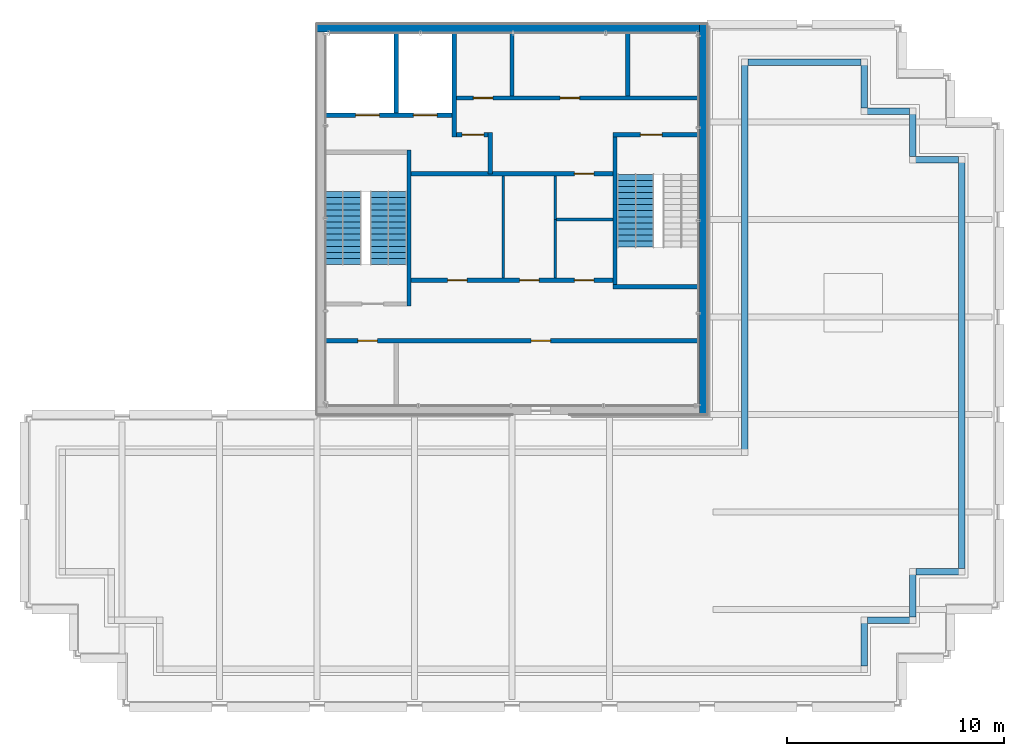
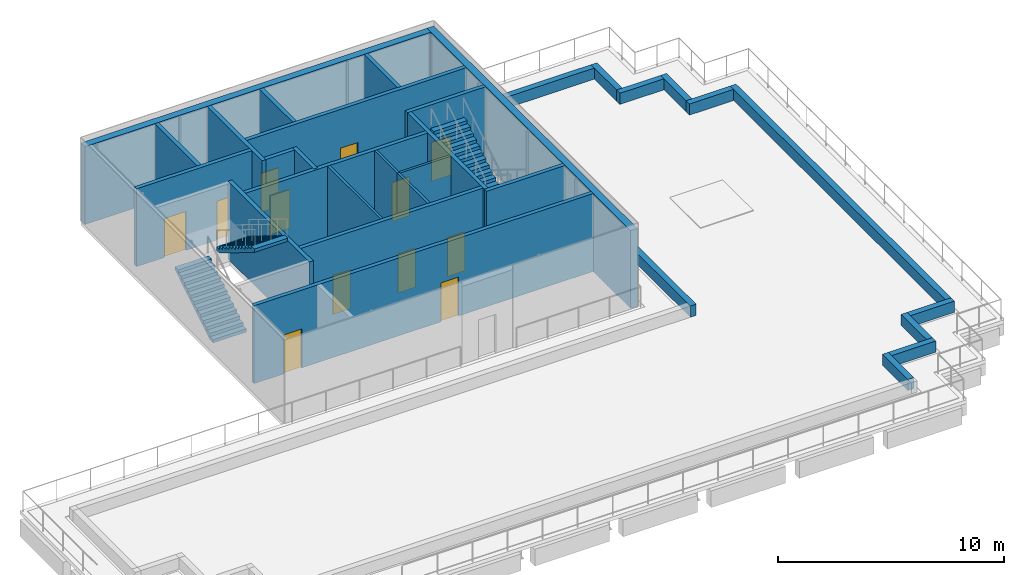
# One storey, part 9 of 11: 32 walls, 12 doors, 3 stair flights, 12 openings, 2 elements without a shape of their own.
"""IFC4 building model written with IfcOpenShell, lengths in metres."""

from ifc_helpers import new_model, si_unit, direction, frame, frame_2d, origin, place, context, subcontext, project, spatial, polyline, rectangle, outline, extrude, material, layer, layer_set, type_object, element, fill, aggregate, save


model = new_model("IFC4")

# Units and contexts
model_context = context("Model", 3, precision=1e-05, world=origin(), true_north=direction((0.0, 1.0)))
body_context = subcontext(model_context, "Body", "Model", "MODEL_VIEW")
ifc_project = project(units=[si_unit("LENGTHUNIT", "METRE"), si_unit("AREAUNIT", "SQUARE_METRE"), si_unit("VOLUMEUNIT", "CUBIC_METRE"), si_unit("PLANEANGLEUNIT", "RADIAN"), si_unit("MASSUNIT", "GRAM", prefix="KILO")], contexts=[model_context])

# Site, building, storey
site_placement = place(None, origin())
site = spatial("IfcSite", under=ifc_project, at=site_placement, CompositionType="ELEMENT")
building_placement = place(site_placement, origin())
building = spatial("IfcBuilding", under=site, at=building_placement, Name="Altepetl Exchange Towers", CompositionType="ELEMENT")
storey_placement = place(building_placement, frame((0.0, 0.0, 274.60009765625)))
storey = spatial("IfcBuildingStorey", under=building, at=storey_placement, Name="L69 Crown plant", CompositionType="ELEMENT", Elevation=274.60009765625)

# Walls
ifc_material_1 = material(Name="Concrete C70/85", Category="concrete")
ifc_layer_1 = layer(ifc_material_1, 0.35009765625)
ifc_layer_set_1 = layer_set([ifc_layer_1], Name="Concrete C70/85")
wall_type_1 = type_object("IfcWallType", Name="Core wall 350 reinforced concrete external", PredefinedType="SHEAR", material=ifc_layer_set_1)
wall_1_placement = place(storey_placement, frame((58.324951171875, 40.5, 0.0), z_axis=(0.0, 0.0, 1.0), x_axis=(0.0, 1.0, 0.0)))
element("IfcWall", 1, at=wall_1_placement, inside=storey, type_object=wall_type_1, Name="wall:A:L69:K-coreE", PredefinedType="SHEAR", context=body_context, shape_type="SweptSolid", body=[
    extrude(rectangle(XDim=18.0, YDim=0.35009765625, at=frame_2d((9.0, 0.0))), origin(), (0.0, 0.0, 1.0), 4.199951171875),
])
wall_2_placement = place(storey_placement, frame((40.5, 58.324951171875, 0.0)))
element("IfcWall", 2, at=wall_2_placement, inside=storey, type_object=wall_type_1, Name="wall:A:L69:K-coreN", PredefinedType="SHEAR", context=body_context, shape_type="SweptSolid", body=[
    extrude(rectangle(XDim=17.64990234375, YDim=0.35009765625, at=frame_2d((8.824951171875, 0.0))), origin(), (0.0, 0.0, 1.0), 4.199951171875),
])
ifc_material_2 = material(Name="Concrete blockwork", Category="masonry")
ifc_layer_2 = layer(ifc_material_2, 0.199951171875)
ifc_layer_set_2 = layer_set([ifc_layer_2], Name="Concrete blockwork")
wall_type_2 = type_object("IfcWallType", Name="Lobby wall 200 blockwork", PredefinedType="PARTITIONING", material=ifc_layer_set_2)
wall_3_placement = place(storey_placement, frame((48.5, 51.60009765625, 0.0), z_axis=(0.0, 0.0, 1.0), x_axis=(0.0, 1.0, 0.0)))
element("IfcWall", 3, at=wall_3_placement, inside=storey, type_object=wall_type_2, Name="wall:A:L69:K-ffE", PredefinedType="PARTITIONING", context=body_context, shape_type="SweptSolid", body=[
    extrude(rectangle(XDim=1.89990234375, YDim=0.199951171875, at=frame_2d((0.949951171875, 0.0))), origin(), (0.0, 0.0, 1.0), 4.199951171875),
])

# Wall, opening, door
wall_4_placement = place(storey_placement, frame((46.933349609375, 53.39990234375, 0.0)))
wall_4 = element("IfcWall", 4, at=wall_4_placement, inside=storey, type_object=wall_type_2, Name="wall:A:L69:K-ffN", PredefinedType="PARTITIONING", context=body_context, shape_type="SweptSolid", body=[
    extrude(rectangle(XDim=1.466552734375, YDim=0.199951171875, at=frame_2d((0.7333984375, 0.0))), origin(), (0.0, 0.0, 1.0), 4.199951171875),
])
opening_1_placement = place(wall_4_placement, frame((0.2666015625, 0.0, 0.0)))
opening_1 = element("IfcOpeningElement", 5, at=opening_1_placement, cuts=wall_4, Name="Opening L69.A63", PredefinedType="OPENING", context=body_context, shape_type="SweptSolid", body=[
    extrude(rectangle(XDim=1.0, YDim=2.10009765625, at=frame_2d((0.5, 1.050048828125))), frame((0.0, 0.10986328125, 0.0), z_axis=(0.0, -1.0, 0.0), x_axis=(1.0, 0.0, 0.0)), (0.0, 0.0, 1.0), 0.219970703125),
])
ifc_material_3 = material(Name="Steel and timber fire door", Category="steel")
door_type_1 = type_object("IfcDoorType", Name="Fire door 1000 x 2100 stair and lobby", OperationType="SINGLE_SWING_LEFT", PredefinedType="DOOR", material=ifc_material_3)
door_1_placement = place(opening_1_placement, frame((1.0, 0.0, 0.0), x_axis=(-1.0, 0.0, 0.0)))
door_1 = element("IfcDoor", 6, at=door_1_placement, inside=storey, type_object=door_type_1, Name="door:A:L69:K-dffN", OperationType="SINGLE_SWING_RIGHT", OverallHeight=2.10009765625, OverallWidth=1.0, PredefinedType="DOOR", context=body_context, shape_type="SweptSolid", body=[
    extrude(rectangle(XDim=1.0, YDim=2.10009765625, at=frame_2d((0.5, 1.050048828125))), frame((0.0, 0.02490234375, 0.0), z_axis=(0.0, -1.0, 0.0), x_axis=(1.0, 0.0, 0.0)), (0.0, 0.0, 1.0), 0.050048828125),
])
fill(opening_1, door_1)

wall_5_placement = place(storey_placement, frame((44.85009765625, 51.60009765625, 0.0)))
wall_5 = element("IfcWall", 7, at=wall_5_placement, inside=storey, type_object=wall_type_2, Name="wall:A:L69:K-zoneN", PredefinedType="PARTITIONING", context=body_context, shape_type="SweptSolid", body=[
    extrude(rectangle(XDim=9.2998046875, YDim=0.199951171875, at=frame_2d((4.64990234375, 0.0))), origin(), (0.0, 0.0, 1.0), 4.199951171875),
])
opening_2_placement = place(wall_5_placement, frame((7.52490234375, 0.0, 0.0)))
opening_2 = element("IfcOpeningElement", 8, at=opening_2_placement, cuts=wall_5, Name="Opening L69.A70", PredefinedType="OPENING", context=body_context, shape_type="SweptSolid", body=[
    extrude(rectangle(XDim=0.89990234375, YDim=2.10009765625, at=frame_2d((0.449951171875, 1.050048828125))), frame((0.0, 0.10986328125, 0.0), z_axis=(0.0, -1.0, 0.0), x_axis=(1.0, 0.0, 0.0)), (0.0, 0.0, 1.0), 0.219970703125),
])
door_type_2 = type_object("IfcDoorType", Name="Fire door 900 x 2100 service room", OperationType="SINGLE_SWING_LEFT", PredefinedType="DOOR", material=ifc_material_3)
door_2_placement = place(opening_2_placement, frame((0.89990234375, 0.0, 0.0), x_axis=(-1.0, 0.0, 0.0)))
door_2 = element("IfcDoor", 9, at=door_2_placement, inside=storey, type_object=door_type_2, Name="door:A:L69:K-dz3", OperationType="SINGLE_SWING_LEFT", OverallHeight=2.10009765625, OverallWidth=0.89990234375, PredefinedType="DOOR", context=body_context, shape_type="SweptSolid", body=[
    extrude(rectangle(XDim=0.89990234375, YDim=2.10009765625, at=frame_2d((0.449951171875, 1.050048828125))), frame((0.0, 0.02490234375, 0.0), z_axis=(0.0, -1.0, 0.0), x_axis=(1.0, 0.0, 0.0)), (0.0, 0.0, 1.0), 0.050048828125),
])
fill(opening_2, door_2)

# Wall, openings, doors
wall_6_placement = place(storey_placement, frame((44.85009765625, 46.699951171875, 0.0)))
wall_6 = element("IfcWall", 10, at=wall_6_placement, inside=storey, type_object=wall_type_2, Name="wall:A:L69:K-zoneS", PredefinedType="PARTITIONING", context=body_context, shape_type="SweptSolid", body=[
    extrude(rectangle(XDim=9.2998046875, YDim=0.199951171875, at=frame_2d((4.64990234375, 0.0))), origin(), (0.0, 0.0, 1.0), 4.199951171875),
])
opening_3_placement = place(wall_6_placement, frame((1.675048828125, 0.0, 0.0)))
opening_3 = element("IfcOpeningElement", 11, at=opening_3_placement, cuts=wall_6, Name="Opening L69.A68", PredefinedType="OPENING", context=body_context, shape_type="SweptSolid", body=[
    extrude(rectangle(XDim=0.89990234375, YDim=2.10009765625, at=frame_2d((0.449951171875, 1.050048828125))), frame((0.0, 0.10986328125, 0.0), z_axis=(0.0, -1.0, 0.0), x_axis=(1.0, 0.0, 0.0)), (0.0, 0.0, 1.0), 0.219970703125),
])
opening_4_placement = place(wall_6_placement, frame((5.0, 0.0, 0.0)))
opening_4 = element("IfcOpeningElement", 12, at=opening_4_placement, cuts=wall_6, Name="Opening L69.A69", PredefinedType="OPENING", context=body_context, shape_type="SweptSolid", body=[
    extrude(rectangle(XDim=0.89990234375, YDim=2.10009765625, at=frame_2d((0.449951171875, 1.050048828125))), frame((0.0, 0.10986328125, 0.0), z_axis=(0.0, -1.0, 0.0), x_axis=(1.0, 0.0, 0.0)), (0.0, 0.0, 1.0), 0.219970703125),
])
opening_5_placement = place(wall_6_placement, frame((7.52490234375, 0.0, 0.0)))
opening_5 = element("IfcOpeningElement", 13, at=opening_5_placement, cuts=wall_6, Name="Opening L69.A71", PredefinedType="OPENING", context=body_context, shape_type="SweptSolid", body=[
    extrude(rectangle(XDim=0.89990234375, YDim=2.10009765625, at=frame_2d((0.449951171875, 1.050048828125))), frame((0.0, 0.10986328125, 0.0), z_axis=(0.0, -1.0, 0.0), x_axis=(1.0, 0.0, 0.0)), (0.0, 0.0, 1.0), 0.219970703125),
])
door_3_placement = place(opening_3_placement, origin())
door_3 = element("IfcDoor", 14, at=door_3_placement, inside=storey, type_object=door_type_2, Name="door:A:L69:K-dz1", OperationType="SINGLE_SWING_RIGHT", OverallHeight=2.10009765625, OverallWidth=0.89990234375, PredefinedType="DOOR", context=body_context, shape_type="SweptSolid", body=[
    extrude(rectangle(XDim=0.89990234375, YDim=2.10009765625, at=frame_2d((0.449951171875, 1.050048828125))), frame((0.0, 0.02490234375, 0.0), z_axis=(0.0, -1.0, 0.0), x_axis=(1.0, 0.0, 0.0)), (0.0, 0.0, 1.0), 0.050048828125),
])
fill(opening_3, door_3)
door_4_placement = place(opening_4_placement, origin())
door_4 = element("IfcDoor", 15, at=door_4_placement, inside=storey, type_object=door_type_2, Name="door:A:L69:K-dz2", OperationType="SINGLE_SWING_RIGHT", OverallHeight=2.10009765625, OverallWidth=0.89990234375, PredefinedType="DOOR", context=body_context, shape_type="SweptSolid", body=[
    extrude(rectangle(XDim=0.89990234375, YDim=2.10009765625, at=frame_2d((0.449951171875, 1.050048828125))), frame((0.0, 0.02490234375, 0.0), z_axis=(0.0, -1.0, 0.0), x_axis=(1.0, 0.0, 0.0)), (0.0, 0.0, 1.0), 0.050048828125),
])
fill(opening_4, door_4)
door_5_placement = place(opening_5_placement, origin())
door_5 = element("IfcDoor", 16, at=door_5_placement, inside=storey, type_object=door_type_2, Name="door:A:L69:K-dz4", OperationType="SINGLE_SWING_RIGHT", OverallHeight=2.10009765625, OverallWidth=0.89990234375, PredefinedType="DOOR", context=body_context, shape_type="SweptSolid", body=[
    extrude(rectangle(XDim=0.89990234375, YDim=2.10009765625, at=frame_2d((0.449951171875, 1.050048828125))), frame((0.0, 0.02490234375, 0.0), z_axis=(0.0, -1.0, 0.0), x_axis=(1.0, 0.0, 0.0)), (0.0, 0.0, 1.0), 0.050048828125),
])
fill(opening_5, door_5)

# Walls
ifc_material_4 = material(Name="Gypsum board on steel studs", Category="steel")
ifc_layer_3 = layer(ifc_material_4, 0.125)
ifc_layer_set_3 = layer_set([ifc_layer_3], Name="Gypsum board on steel studs")
wall_type_3 = type_object("IfcWallType", Name="Partition 125 gypsum board on steel studs", PredefinedType="PARTITIONING", material=ifc_layer_set_3)
wall_7_placement = place(storey_placement, frame((49.10009765625, 46.800048828125, 0.0), z_axis=(0.0, 0.0, 1.0), x_axis=(0.0, 1.0, 0.0)))
element("IfcWall", 17, at=wall_7_placement, inside=storey, type_object=wall_type_3, Name="wall:A:L69:K-zp1", PredefinedType="PARTITIONING", context=body_context, shape_type="SweptSolid", body=[
    extrude(rectangle(XDim=4.699951171875, YDim=0.125, at=frame_2d((2.35009765625, 0.0))), origin(), (0.0, 0.0, 1.0), 4.199951171875),
])
wall_8_placement = place(storey_placement, frame((51.5, 46.800048828125, 0.0), z_axis=(0.0, 0.0, 1.0), x_axis=(0.0, 1.0, 0.0)))
element("IfcWall", 18, at=wall_8_placement, inside=storey, type_object=wall_type_3, Name="wall:A:L69:K-zp2", PredefinedType="PARTITIONING", context=body_context, shape_type="SweptSolid", body=[
    extrude(rectangle(XDim=2.762451171875, YDim=0.125, at=frame_2d((1.38134765625, 0.0))), origin(), (0.0, 0.0, 1.0), 4.199951171875),
])
wall_9_placement = place(storey_placement, frame((51.5625, 49.5, 0.0)))
element("IfcWall", 19, at=wall_9_placement, inside=storey, type_object=wall_type_3, Name="wall:A:L69:K-zp3", PredefinedType="PARTITIONING", context=body_context, shape_type="SweptSolid", body=[
    extrude(rectangle(XDim=2.58740234375, YDim=0.125, at=frame_2d((1.293701171875, 0.0))), origin(), (0.0, 0.0, 1.0), 4.199951171875),
])
wall_10_placement = place(storey_placement, frame((51.5, 49.5, 0.0), z_axis=(0.0, 0.0, 1.0), x_axis=(0.0, 1.0, 0.0)))
element("IfcWall", 20, at=wall_10_placement, inside=storey, type_object=wall_type_3, Name="wall:A:L69:K-zp4", PredefinedType="PARTITIONING", context=body_context, shape_type="SweptSolid", body=[
    extrude(rectangle(XDim=2.0, YDim=0.125, at=frame_2d((1.0, 0.0))), origin(), (0.0, 0.0, 1.0), 4.199951171875),
])
ifc_material_5 = material(Name="Concrete C30/37", Category="concrete")
ifc_layer_4 = layer(ifc_material_5, 0.300048828125)
ifc_layer_set_4 = layer_set([ifc_layer_4], Name="Concrete C30/37")
wall_type_4 = type_object("IfcWallType", Name="Planter wall 300 concrete", PredefinedType="SOLIDWALL", material=ifc_layer_set_4)
wall_11_placement = place(storey_placement, frame((60.25, 56.89990234375, 0.0), z_axis=(0.0, 0.0, 1.0), x_axis=(0.0, -1.0, 0.0)))
element("IfcWall", 21, at=wall_11_placement, inside=storey, type_object=wall_type_4, Name="Planter bed wall", PredefinedType="SOLIDWALL", context=body_context, shape_type="SweptSolid", body=[
    extrude(rectangle(XDim=18.2998046875, YDim=0.300048828125, at=frame_2d((9.14990234375, 0.0))), origin(), (0.0, 0.0, 1.0), 0.599853515625),
])
wall_12_placement = place(storey_placement, frame((65.75, 28.89990234375, 0.0), z_axis=(0.0, 0.0, 1.0), x_axis=(0.0, 1.0, 0.0)))
element("IfcWall", 22, at=wall_12_placement, inside=storey, type_object=wall_type_4, Name="Planter bed wall", PredefinedType="SOLIDWALL", context=body_context, shape_type="SweptSolid", body=[
    extrude(rectangle(XDim=2.25, YDim=0.300048828125, at=frame_2d((1.125, 0.0))), origin(), (0.0, 0.0, 1.0), 0.599853515625),
])
wall_13_placement = place(storey_placement, frame((65.89990234375, 31.0, 0.0)))
element("IfcWall", 23, at=wall_13_placement, inside=storey, type_object=wall_type_4, Name="Planter bed wall", PredefinedType="SOLIDWALL", context=body_context, shape_type="SweptSolid", body=[
    extrude(rectangle(XDim=2.25, YDim=0.300048828125, at=frame_2d((1.125, 0.0))), origin(), (0.0, 0.0, 1.0), 0.599853515625),
])
wall_14_placement = place(storey_placement, frame((68.0, 31.14990234375, 0.0), z_axis=(0.0, 0.0, 1.0), x_axis=(0.0, 1.0, 0.0)))
element("IfcWall", 24, at=wall_14_placement, inside=storey, type_object=wall_type_4, Name="Planter bed wall", PredefinedType="SOLIDWALL", context=body_context, shape_type="SweptSolid", body=[
    extrude(rectangle(XDim=2.25, YDim=0.300048828125, at=frame_2d((1.125, 0.0))), origin(), (0.0, 0.0, 1.0), 0.599853515625),
])
wall_15_placement = place(storey_placement, frame((68.14990234375, 33.25, 0.0)))
element("IfcWall", 25, at=wall_15_placement, inside=storey, type_object=wall_type_4, Name="Planter bed wall", PredefinedType="SOLIDWALL", context=body_context, shape_type="SweptSolid", body=[
    extrude(rectangle(XDim=2.25, YDim=0.300048828125, at=frame_2d((1.125, 0.0))), origin(), (0.0, 0.0, 1.0), 0.599853515625),
])
wall_16_placement = place(storey_placement, frame((70.25, 33.39990234375, 0.0), z_axis=(0.0, 0.0, 1.0), x_axis=(0.0, 1.0, 0.0)))
element("IfcWall", 26, at=wall_16_placement, inside=storey, type_object=wall_type_4, Name="Planter bed wall", PredefinedType="SOLIDWALL", context=body_context, shape_type="SweptSolid", body=[
    extrude(rectangle(XDim=19.0, YDim=0.300048828125, at=frame_2d((9.5, 0.0))), origin(), (0.0, 0.0, 1.0), 0.599853515625),
])
for number, where, z_axis, x_axis, name in (
    (27, (70.10009765625, 52.25, 0.0), (0.0, 0.0, 1.0), (-1.0, 0.0, 0.0), "Planter bed wall"),
    (28, (68.0, 52.39990234375, 0.0), (0.0, 0.0, 1.0), (0.0, 1.0, 0.0), "Planter bed wall"),
    (29, (67.85009765625, 54.5, 0.0), (0.0, 0.0, 1.0), (-1.0, 0.0, 0.0), "Planter bed wall"),
    (30, (65.75, 54.64990234375, 0.0), (0.0, 0.0, 1.0), (0.0, 1.0, 0.0), "Planter bed wall"),
):
    element("IfcWall", number, at=place(storey_placement, frame(where, z_axis=z_axis, x_axis=x_axis)), inside=storey, type_object=wall_type_4, Name=name, PredefinedType="SOLIDWALL", context=body_context, shape_type="SweptSolid", body=[
        extrude(rectangle(XDim=2.25, YDim=0.300048828125, at=frame_2d((1.125, 0.0))), origin(), (0.0, 0.0, 1.0), 0.599853515625),
    ])
wall_17_placement = place(storey_placement, frame((65.60009765625, 56.75, 0.0), z_axis=(0.0, 0.0, 1.0), x_axis=(-1.0, 0.0, 0.0)))
element("IfcWall", 31, at=wall_17_placement, inside=storey, type_object=wall_type_4, Name="Planter bed wall", PredefinedType="SOLIDWALL", context=body_context, shape_type="SweptSolid", body=[
    extrude(rectangle(XDim=5.2001953125, YDim=0.300048828125, at=frame_2d((2.60009765625, 0.0))), origin(), (0.0, 0.0, 1.0), 0.599853515625),
])
ifc_material_6 = material(Name="Concrete C40/50", Category="concrete")
ifc_layer_5 = layer(ifc_material_6, 0.199951171875)
ifc_layer_set_5 = layer_set([ifc_layer_5], Name="Concrete C40/50")
wall_type_5 = type_object("IfcWallType", Name="Shaft wall 200 reinforced concrete", PredefinedType="SHEAR", material=ifc_layer_set_5)
wall_18_placement = place(storey_placement, frame((44.166748046875, 58.14990234375, 0.0), z_axis=(0.0, 0.0, 1.0), x_axis=(0.0, -1.0, 0.0)))
element("IfcWall", 32, at=wall_18_placement, inside=storey, type_object=wall_type_5, Name="wall:A:L69:K-divN1", PredefinedType="SHEAR", context=body_context, shape_type="SweptSolid", body=[
    extrude(rectangle(XDim=3.75, YDim=0.199951171875, at=frame_2d((1.875, 0.0))), origin(), (0.0, 0.0, 1.0), 4.199951171875),
])
wall_19_placement = place(storey_placement, frame((46.833251953125, 58.14990234375, 0.0), z_axis=(0.0, 0.0, 1.0), x_axis=(0.0, -1.0, 0.0)))
element("IfcWall", 33, at=wall_19_placement, inside=storey, type_object=wall_type_5, Name="wall:A:L69:K-divN2", PredefinedType="SHEAR", context=body_context, shape_type="SweptSolid", body=[
    extrude(rectangle(XDim=4.849853515625, YDim=0.199951171875, at=frame_2d((2.4248046875, 0.0))), origin(), (0.0, 0.0, 1.0), 4.199951171875),
])
for number, where, z_axis, x_axis, name in (
    (34, (49.5, 58.14990234375, 0.0), (0.0, 0.0, 1.0), (0.0, -1.0, 0.0), "wall:A:L69:K-divN3"),
    (35, (54.833251953125, 58.14990234375, 0.0), (0.0, 0.0, 1.0), (0.0, -1.0, 0.0), "wall:A:L69:K-divN5"),
):
    element("IfcWall", number, at=place(storey_placement, frame(where, z_axis=z_axis, x_axis=x_axis)), inside=storey, type_object=wall_type_5, Name=name, PredefinedType="SHEAR", context=body_context, shape_type="SweptSolid", body=[
        extrude(rectangle(XDim=2.949951171875, YDim=0.199951171875, at=frame_2d((1.47509765625, 0.0))), origin(), (0.0, 0.0, 1.0), 4.199951171875),
    ])

# Wall, openings, doors
wall_20_placement = place(storey_placement, frame((46.933349609375, 55.10009765625, 0.0)))
wall_20 = element("IfcWall", 36, at=wall_20_placement, inside=storey, type_object=wall_type_5, Name="wall:A:L69:K-frontNb", PredefinedType="SHEAR", context=body_context, shape_type="SweptSolid", body=[
    extrude(rectangle(XDim=11.216552734375, YDim=0.199951171875, at=frame_2d((5.6083984375, 0.0))), origin(), (0.0, 0.0, 1.0), 4.199951171875),
])
opening_6_placement = place(wall_20_placement, frame((0.783447265625, 0.0, 0.0)))
opening_6 = element("IfcOpeningElement", 37, at=opening_6_placement, cuts=wall_20, Name="Opening L69.A64", PredefinedType="OPENING", context=body_context, shape_type="SweptSolid", body=[
    extrude(rectangle(XDim=0.89990234375, YDim=2.10009765625, at=frame_2d((0.449951171875, 1.050048828125))), frame((0.0, 0.10986328125, 0.0), z_axis=(0.0, -1.0, 0.0), x_axis=(1.0, 0.0, 0.0)), (0.0, 0.0, 1.0), 0.219970703125),
])
opening_7_placement = place(wall_20_placement, frame((4.783447265625, 0.0, 0.0)))
opening_7 = element("IfcOpeningElement", 38, at=opening_7_placement, cuts=wall_20, Name="Opening L69.A65", PredefinedType="OPENING", context=body_context, shape_type="SweptSolid", body=[
    extrude(rectangle(XDim=0.89990234375, YDim=2.10009765625, at=frame_2d((0.449951171875, 1.050048828125))), frame((0.0, 0.10986328125, 0.0), z_axis=(0.0, -1.0, 0.0), x_axis=(1.0, 0.0, 0.0)), (0.0, 0.0, 1.0), 0.219970703125),
])
door_6_placement = place(opening_6_placement, origin())
door_6 = element("IfcDoor", 39, at=door_6_placement, inside=storey, type_object=door_type_2, Name="door:A:L69:K-dslotN2", OperationType="SINGLE_SWING_RIGHT", OverallHeight=2.10009765625, OverallWidth=0.89990234375, PredefinedType="DOOR", context=body_context, shape_type="SweptSolid", body=[
    extrude(rectangle(XDim=0.89990234375, YDim=2.10009765625, at=frame_2d((0.449951171875, 1.050048828125))), frame((0.0, 0.02490234375, 0.0), z_axis=(0.0, -1.0, 0.0), x_axis=(1.0, 0.0, 0.0)), (0.0, 0.0, 1.0), 0.050048828125),
])
fill(opening_6, door_6)
door_7_placement = place(opening_7_placement, origin())
door_7 = element("IfcDoor", 40, at=door_7_placement, inside=storey, type_object=door_type_2, Name="door:A:L69:K-dslotN3", OperationType="SINGLE_SWING_RIGHT", OverallHeight=2.10009765625, OverallWidth=0.89990234375, PredefinedType="DOOR", context=body_context, shape_type="SweptSolid", body=[
    extrude(rectangle(XDim=0.89990234375, YDim=2.10009765625, at=frame_2d((0.449951171875, 1.050048828125))), frame((0.0, 0.02490234375, 0.0), z_axis=(0.0, -1.0, 0.0), x_axis=(1.0, 0.0, 0.0)), (0.0, 0.0, 1.0), 0.050048828125),
])
fill(opening_7, door_7)

wall_21_placement = place(storey_placement, frame((40.85009765625, 54.300048828125, 0.0)))
wall_21 = element("IfcWall", 41, at=wall_21_placement, inside=storey, type_object=wall_type_5, Name="wall:A:L69:K-frontNd", PredefinedType="SHEAR", context=body_context, shape_type="SweptSolid", body=[
    extrude(rectangle(XDim=5.88330078125, YDim=0.199951171875, at=frame_2d((2.941650390625, 0.0))), origin(), (0.0, 0.0, 1.0), 4.199951171875),
])
opening_8_placement = place(wall_21_placement, frame((1.433349609375, 0.0, 0.0)))
opening_8 = element("IfcOpeningElement", 42, at=opening_8_placement, cuts=wall_21, Name="Opening L69.A72", PredefinedType="OPENING", context=body_context, shape_type="SweptSolid", body=[
    extrude(rectangle(XDim=1.10009765625, YDim=2.10009765625, at=frame_2d((0.550048828125, 1.050048828125))), frame((0.0, 0.10986328125, 0.0), z_axis=(0.0, -1.0, 0.0), x_axis=(1.0, 0.0, 0.0)), (0.0, 0.0, 1.0), 0.219970703125),
])
opening_9_placement = place(wall_21_placement, frame((4.10009765625, 0.0, 0.0)))
opening_9 = element("IfcOpeningElement", 43, at=opening_9_placement, cuts=wall_21, Name="Opening L69.A73", PredefinedType="OPENING", context=body_context, shape_type="SweptSolid", body=[
    extrude(rectangle(XDim=1.10009765625, YDim=2.10009765625, at=frame_2d((0.550048828125, 1.050048828125))), frame((0.0, 0.10986328125, 0.0), z_axis=(0.0, -1.0, 0.0), x_axis=(1.0, 0.0, 0.0)), (0.0, 0.0, 1.0), 0.219970703125),
])
ifc_material_7 = material(Name="Stainless steel", Category="steel")
door_type_3 = type_object("IfcDoorType", Name="Lift landing door 1100 x 2100", OperationType="SLIDING_TO_LEFT", PredefinedType="DOOR", material=ifc_material_7)
door_8_placement = place(opening_8_placement, origin())
door_8 = element("IfcDoor", 44, at=door_8_placement, inside=storey, type_object=door_type_3, Name="Landing door FFL1", OperationType="SLIDING_TO_LEFT", OverallHeight=2.10009765625, OverallWidth=1.10009765625, PredefinedType="DOOR", context=body_context, shape_type="SweptSolid", body=[
    extrude(rectangle(XDim=1.10009765625, YDim=2.10009765625, at=frame_2d((0.550048828125, 1.050048828125))), frame((0.0, 0.02490234375, 0.0), z_axis=(0.0, -1.0, 0.0), x_axis=(1.0, 0.0, 0.0)), (0.0, 0.0, 1.0), 0.050048828125),
])
fill(opening_8, door_8)
door_9_placement = place(opening_9_placement, origin())
door_9 = element("IfcDoor", 45, at=door_9_placement, inside=storey, type_object=door_type_3, Name="Landing door FFL2", OperationType="SLIDING_TO_LEFT", OverallHeight=2.10009765625, OverallWidth=1.10009765625, PredefinedType="DOOR", context=body_context, shape_type="SweptSolid", body=[
    extrude(rectangle(XDim=1.10009765625, YDim=2.10009765625, at=frame_2d((0.550048828125, 1.050048828125))), frame((0.0, 0.02490234375, 0.0), z_axis=(0.0, -1.0, 0.0), x_axis=(1.0, 0.0, 0.0)), (0.0, 0.0, 1.0), 0.050048828125),
])
fill(opening_9, door_9)

wall_22_placement = place(storey_placement, frame((40.85009765625, 43.89990234375, 0.0)))
wall_22 = element("IfcWall", 46, at=wall_22_placement, inside=storey, type_object=wall_type_5, Name="wall:A:L69:K-frontS", PredefinedType="SHEAR", context=body_context, shape_type="SweptSolid", body=[
    extrude(rectangle(XDim=17.2998046875, YDim=0.199951171875, at=frame_2d((8.64990234375, 0.0))), origin(), (0.0, 0.0, 1.0), 4.199951171875),
])
opening_10_placement = place(wall_22_placement, frame((1.533203125, 0.0, 0.0)))
opening_10 = element("IfcOpeningElement", 47, at=opening_10_placement, cuts=wall_22, Name="Opening L69.A66", PredefinedType="OPENING", context=body_context, shape_type="SweptSolid", body=[
    extrude(rectangle(XDim=0.89990234375, YDim=2.10009765625, at=frame_2d((0.449951171875, 1.050048828125))), frame((0.0, 0.10986328125, 0.0), z_axis=(0.0, -1.0, 0.0), x_axis=(1.0, 0.0, 0.0)), (0.0, 0.0, 1.0), 0.219970703125),
])
opening_11_placement = place(wall_22_placement, frame((9.533203125, 0.0, 0.0)))
opening_11 = element("IfcOpeningElement", 48, at=opening_11_placement, cuts=wall_22, Name="Opening L69.A67", PredefinedType="OPENING", context=body_context, shape_type="SweptSolid", body=[
    extrude(rectangle(XDim=0.89990234375, YDim=2.10009765625, at=frame_2d((0.449951171875, 1.050048828125))), frame((0.0, 0.10986328125, 0.0), z_axis=(0.0, -1.0, 0.0), x_axis=(1.0, 0.0, 0.0)), (0.0, 0.0, 1.0), 0.219970703125),
])
door_10_placement = place(opening_10_placement, frame((0.89990234375, 0.0, 0.0), x_axis=(-1.0, 0.0, 0.0)))
door_10 = element("IfcDoor", 49, at=door_10_placement, inside=storey, type_object=door_type_2, Name="door:A:L69:K-dslotS0", OperationType="SINGLE_SWING_LEFT", OverallHeight=2.10009765625, OverallWidth=0.89990234375, PredefinedType="DOOR", context=body_context, shape_type="SweptSolid", body=[
    extrude(rectangle(XDim=0.89990234375, YDim=2.10009765625, at=frame_2d((0.449951171875, 1.050048828125))), frame((0.0, 0.02490234375, 0.0), z_axis=(0.0, -1.0, 0.0), x_axis=(1.0, 0.0, 0.0)), (0.0, 0.0, 1.0), 0.050048828125),
])
fill(opening_10, door_10)
door_11_placement = place(opening_11_placement, frame((0.89990234375, 0.0, 0.0), x_axis=(-1.0, 0.0, 0.0)))
door_11 = element("IfcDoor", 50, at=door_11_placement, inside=storey, type_object=door_type_2, Name="door:A:L69:K-dslotS1", OperationType="SINGLE_SWING_LEFT", OverallHeight=2.10009765625, OverallWidth=0.89990234375, PredefinedType="DOOR", context=body_context, shape_type="SweptSolid", body=[
    extrude(rectangle(XDim=0.89990234375, YDim=2.10009765625, at=frame_2d((0.449951171875, 1.050048828125))), frame((0.0, 0.02490234375, 0.0), z_axis=(0.0, -1.0, 0.0), x_axis=(1.0, 0.0, 0.0)), (0.0, 0.0, 1.0), 0.050048828125),
])
fill(opening_11, door_11)

# Wall
ifc_layer_6 = layer(ifc_material_6, 0.199951171875)
ifc_layer_set_6 = layer_set([ifc_layer_6], Name="Concrete C40/50")
wall_type_6 = type_object("IfcWallType", Name="Stair wall 200 reinforced concrete", PredefinedType="SHEAR", material=ifc_layer_set_6)
wall_23_placement = place(storey_placement, frame((44.75, 45.5, 0.0), z_axis=(0.0, 0.0, 1.0), x_axis=(0.0, 1.0, 0.0)))
element("IfcWall", 51, at=wall_23_placement, inside=storey, type_object=wall_type_6, Name="wall:A:L69:K-stS1E", PredefinedType="SHEAR", context=body_context, shape_type="SweptSolid", body=[
    extrude(rectangle(XDim=7.199951171875, YDim=0.199951171875, at=frame_2d((3.60009765625, 0.0))), origin(), (0.0, 0.0, 1.0), 4.199951171875),
])

# Wall, opening, door
wall_24_placement = place(storey_placement, frame((54.14990234375, 53.39990234375, 0.0)))
wall_24 = element("IfcWall", 52, at=wall_24_placement, inside=storey, type_object=wall_type_6, Name="wall:A:L69:K-stS2N", PredefinedType="SHEAR", context=body_context, shape_type="SweptSolid", body=[
    extrude(rectangle(XDim=4.0, YDim=0.199951171875, at=frame_2d((2.0, 0.0))), origin(), (0.0, 0.0, 1.0), 4.199951171875),
])
opening_12_placement = place(wall_24_placement, frame((1.27490234375, 0.0, 0.0)))
opening_12 = element("IfcOpeningElement", 53, at=opening_12_placement, cuts=wall_24, Name="Opening L69.A62", PredefinedType="OPENING", context=body_context, shape_type="SweptSolid", body=[
    extrude(rectangle(XDim=1.0, YDim=2.10009765625, at=frame_2d((0.5, 1.050048828125))), frame((0.0, 0.10986328125, 0.0), z_axis=(0.0, -1.0, 0.0), x_axis=(1.0, 0.0, 0.0)), (0.0, 0.0, 1.0), 0.219970703125),
])
door_12_placement = place(opening_12_placement, frame((1.0, 0.0, 0.0), x_axis=(-1.0, 0.0, 0.0)))
door_12 = element("IfcDoor", 54, at=door_12_placement, inside=storey, type_object=door_type_1, Name="door:A:L69:K-dS2in", OperationType="SINGLE_SWING_LEFT", OverallHeight=2.10009765625, OverallWidth=1.0, PredefinedType="DOOR", context=body_context, shape_type="SweptSolid", body=[
    extrude(rectangle(XDim=1.0, YDim=2.10009765625, at=frame_2d((0.5, 1.050048828125))), frame((0.0, 0.02490234375, 0.0), z_axis=(0.0, -1.0, 0.0), x_axis=(1.0, 0.0, 0.0)), (0.0, 0.0, 1.0), 0.050048828125),
])
fill(opening_12, door_12)

# Walls
wall_25_placement = place(storey_placement, frame((54.14990234375, 46.39990234375, 0.0)))
element("IfcWall", 55, at=wall_25_placement, inside=storey, type_object=wall_type_6, Name="wall:A:L69:K-stS2S", PredefinedType="SHEAR", context=body_context, shape_type="SweptSolid", body=[
    extrude(rectangle(XDim=4.0, YDim=0.199951171875, at=frame_2d((2.0, 0.0))), origin(), (0.0, 0.0, 1.0), 4.199951171875),
])
wall_26_placement = place(storey_placement, frame((54.25, 46.5, 0.0), z_axis=(0.0, 0.0, 1.0), x_axis=(0.0, 1.0, 0.0)))
element("IfcWall", 56, at=wall_26_placement, inside=storey, type_object=wall_type_6, Name="wall:A:L69:K-stS2W", PredefinedType="SHEAR", context=body_context, shape_type="SweptSolid", body=[
    extrude(rectangle(XDim=6.800048828125, YDim=0.199951171875, at=frame_2d((3.39990234375, 0.0))), origin(), (0.0, 0.0, 1.0), 4.199951171875),
])

# Stair, stair flights
stair_type = type_object("IfcStairType", Name="Exit stair 1700 flights dogleg", PredefinedType="HALF_TURN_STAIR", material=ifc_material_6)
stair_1_placement = place(storey_placement, origin())
stair_1 = element("IfcStair", 57, at=stair_1_placement, inside=storey, type_object=stair_type, Name="Exit stair 1", PredefinedType="HALF_TURN_STAIR")
stair_flight_type = type_object("IfcStairFlightType", Name="Stair flight 1700 wide", PredefinedType="STRAIGHT", material=ifc_material_6)
stair_flight_1_placement = place(storey_placement, frame((41.699951171875, 47.419921875, 0.0), z_axis=(0.0, 0.0, 1.0), x_axis=(0.0, 1.0, 0.0)))
stair_flight_1 = element("IfcStairFlight", 58, at=stair_flight_1_placement, type_object=stair_flight_type, Name="ST-A1i flight 1", NumberOfRisers=13, NumberOfTreads=12, PredefinedType="STRAIGHT", RiserHeight=0.173076923, TreadLength=0.28, context=body_context, shape_type="SweptSolid", body=[
    extrude(outline(polyline([(0.0, 0.0), (0.0, 0.173095703125), (0.280029296875, 0.173095703125), (0.280029296875, 0.34619140625), (0.56005859375, 0.34619140625), (0.56005859375, 0.519287109375), (0.840087890625, 0.519287109375), (0.840087890625, 0.6923828125), (1.1201171875, 0.6923828125), (1.1201171875, 0.865478515625), (1.39990234375, 0.865478515625), (1.39990234375, 1.03857421875), (1.679931640625, 1.03857421875), (1.679931640625, 1.21142578125), (1.9599609375, 1.21142578125), (1.9599609375, 1.384521484375), (2.239990234375, 1.384521484375), (2.239990234375, 1.5576171875), (2.52001953125, 1.5576171875), (2.52001953125, 1.730712890625), (2.800048828125, 1.730712890625), (2.800048828125, 1.90380859375), (3.080078125, 1.90380859375), (3.080078125, 2.076904296875), (3.360107421875, 2.076904296875), (3.360107421875, 2.25), (3.360107421875, 1.900634765625), (0.28515625, 0.0), (0.0, 0.0)])), frame((0.0, 0.85009765625, 0.0), z_axis=(0.0, -1.0, 0.0), x_axis=(1.0, 0.0, 0.0)), (0.0, 0.0, 1.0), 1.699951171875),
])
stair_flight_2_placement = place(storey_placement, frame((43.800048828125, 50.780029296875, 2.25), z_axis=(0.0, 0.0, 1.0), x_axis=(0.0, -1.0, 0.0)))
stair_flight_2 = element("IfcStairFlight", 59, at=stair_flight_2_placement, type_object=stair_flight_type, Name="ST-A1i flight 2", NumberOfRisers=13, NumberOfTreads=12, PredefinedType="STRAIGHT", RiserHeight=0.173076923, TreadLength=0.28, context=body_context, shape_type="SweptSolid", body=[
    extrude(outline(polyline([(0.0, 0.0), (0.0, 0.173095703125), (0.280029296875, 0.173095703125), (0.280029296875, 0.34619140625), (0.56005859375, 0.34619140625), (0.56005859375, 0.519287109375), (0.840087890625, 0.519287109375), (0.840087890625, 0.6923828125), (1.1201171875, 0.6923828125), (1.1201171875, 0.865478515625), (1.39990234375, 0.865478515625), (1.39990234375, 1.03857421875), (1.679931640625, 1.03857421875), (1.679931640625, 1.21142578125), (1.9599609375, 1.21142578125), (1.9599609375, 1.384521484375), (2.239990234375, 1.384521484375), (2.239990234375, 1.5576171875), (2.52001953125, 1.5576171875), (2.52001953125, 1.730712890625), (2.800048828125, 1.730712890625), (2.800048828125, 1.90380859375), (3.080078125, 1.90380859375), (3.080078125, 2.076904296875), (3.360107421875, 2.076904296875), (3.360107421875, 2.25), (3.360107421875, 1.900634765625), (0.28515625, 0.0), (0.0, 0.0)])), frame((0.0, 0.85009765625, 0.0), z_axis=(0.0, -1.0, 0.0), x_axis=(1.0, 0.0, 0.0)), (0.0, 0.0, 1.0), 1.699951171875),
])
aggregate(stair_1, [stair_flight_1, stair_flight_2])

# Stair, stair flight
stair_2_placement = place(storey_placement, origin())
stair_2 = element("IfcStair", 60, at=stair_2_placement, inside=storey, type_object=stair_type, Name="Exit stair 2", PredefinedType="HALF_TURN_STAIR")
stair_flight_3_placement = place(storey_placement, frame((55.199951171875, 48.219970703125, 2.25), z_axis=(0.0, 0.0, 1.0), x_axis=(0.0, 1.0, 0.0)))
stair_flight_3 = element("IfcStairFlight", 61, at=stair_flight_3_placement, type_object=stair_flight_type, Name="ST-A2i flight 2", NumberOfRisers=13, NumberOfTreads=12, PredefinedType="STRAIGHT", RiserHeight=0.173076923, TreadLength=0.28, context=body_context, shape_type="SweptSolid", body=[
    extrude(outline(polyline([(0.0, 0.0), (0.0, 0.173095703125), (0.280029296875, 0.173095703125), (0.280029296875, 0.34619140625), (0.56005859375, 0.34619140625), (0.56005859375, 0.519287109375), (0.840087890625, 0.519287109375), (0.840087890625, 0.6923828125), (1.1201171875, 0.6923828125), (1.1201171875, 0.865478515625), (1.39990234375, 0.865478515625), (1.39990234375, 1.03857421875), (1.679931640625, 1.03857421875), (1.679931640625, 1.21142578125), (1.9599609375, 1.21142578125), (1.9599609375, 1.384521484375), (2.239990234375, 1.384521484375), (2.239990234375, 1.5576171875), (2.52001953125, 1.5576171875), (2.52001953125, 1.730712890625), (2.800048828125, 1.730712890625), (2.800048828125, 1.90380859375), (3.080078125, 1.90380859375), (3.080078125, 2.076904296875), (3.360107421875, 2.076904296875), (3.360107421875, 2.25), (3.360107421875, 1.900634765625), (0.28515625, 0.0), (0.0, 0.0)])), frame((0.0, 0.85009765625, 0.0), z_axis=(0.0, -1.0, 0.0), x_axis=(1.0, 0.0, 0.0)), (0.0, 0.0, 1.0), 1.699951171875),
])
aggregate(stair_2, [stair_flight_3])

save(model, "model.ifc")
